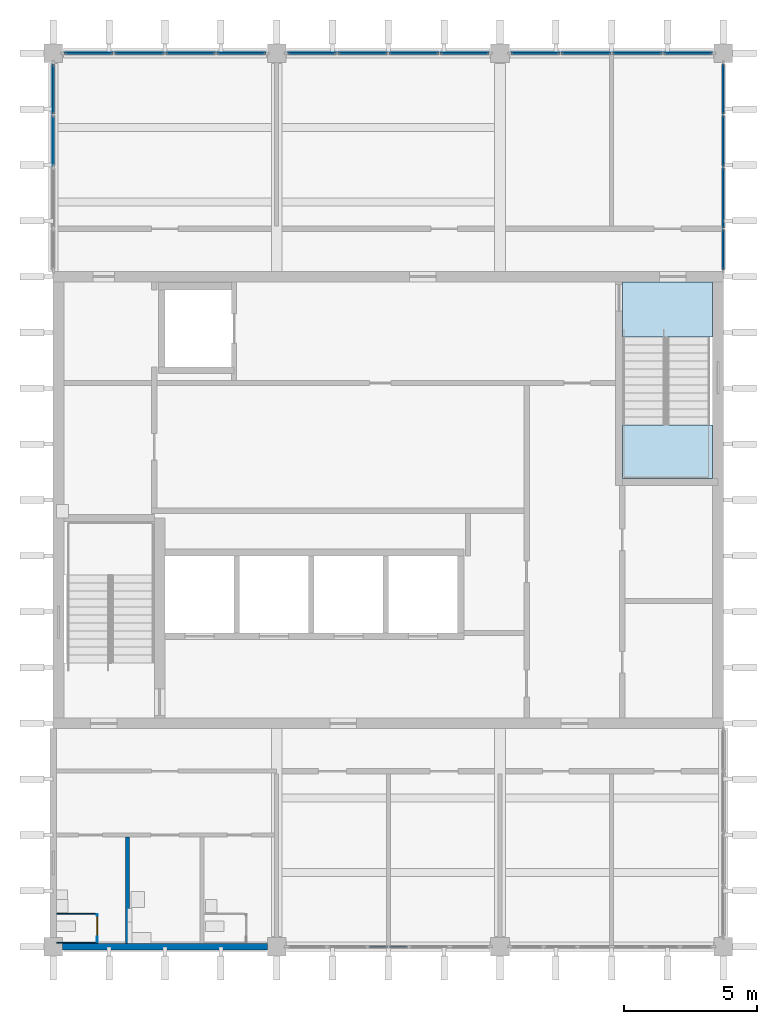
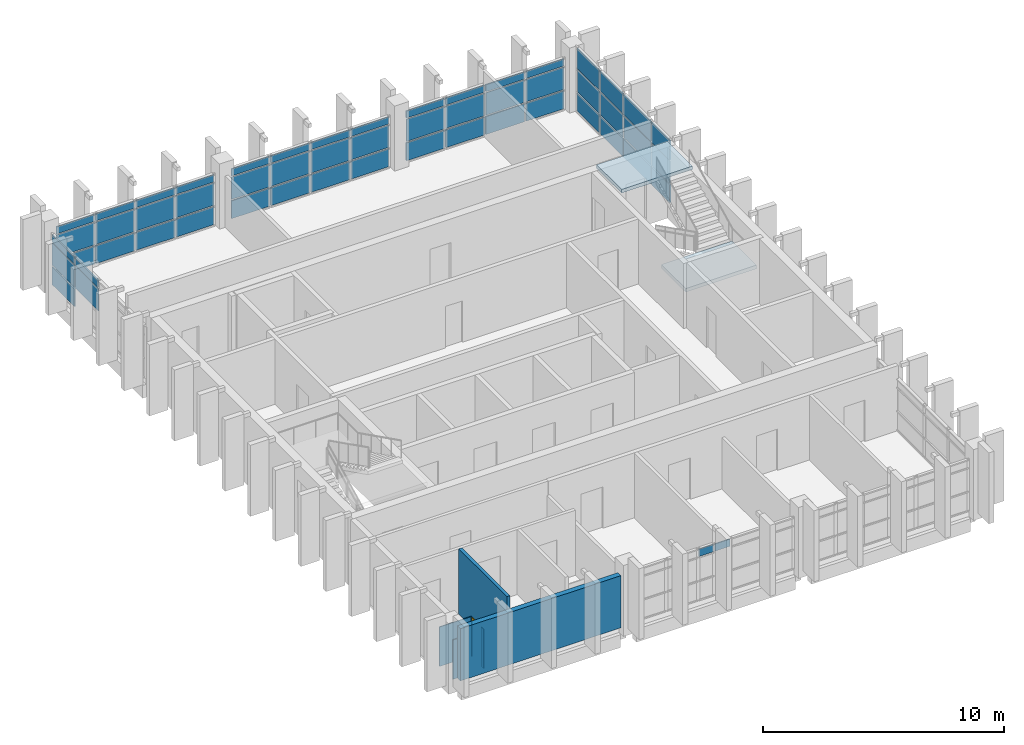
# One storey, part 6 of 11: 55 plates, 5 walls, 2 slabs, 1 door, 1 opening, 7 elements without a shape of their own.
"""IFC4 building model written with IfcOpenShell, lengths in metres."""

import ifcopenshell
import ifcopenshell.guid

model = None  # the IFC model being written
_history = None  # IfcOwnerHistory: only IFC2X3 demands one
_inside = {}  # id of a spatial element -> (the spatial element, [elements in it])
_under = {}  # id of a project, library or spatial element -> (it, [spatial elements below it])
_declared = {}  # id of a project -> (the project, [libraries it declares])
_typed = {}  # id of a type object -> (the type object, [elements of that type])
_made_of = {}  # id of a material, layer set ... -> (it, [elements and type objects made of it])


def new_model(schema):
    """Start an empty IFC model of exactly this schema.

    Asked for "IFC4X3", IfcOpenShell would pick the latest addendum, in which some entities
    have other attributes; the version numbers below select the first issue.
    IFC2X3 requires an IfcOwnerHistory on every rooted entity: one is made here for all.
    """
    global model, _history
    if schema == "IFC4X3":
        model = ifcopenshell.file(schema_version=(4, 3, 0, 0))
    else:
        model = ifcopenshell.file(schema=schema)
    _inside.clear()
    _under.clear()
    _declared.clear()
    _typed.clear()
    _made_of.clear()
    _history = None
    if model.schema == "IFC2X3":
        org = make("IfcOrganization", Name="unknown")
        user = make(
            "IfcPersonAndOrganization",
            ThePerson=make("IfcPerson", FamilyName="unknown"),
            TheOrganization=org,
        )
        app = make(
            "IfcApplication",
            ApplicationDeveloper=org,
            Version="unknown",
            ApplicationFullName="unknown",
            ApplicationIdentifier="unknown",
        )
        _history = make(
            "IfcOwnerHistory",
            OwningUser=user,
            OwningApplication=app,
            ChangeAction="ADDED",
            CreationDate=0,
        )
    return model


def make(cls, **values):
    """One entity of the class cls with the attributes given. An attribute that is None is left unset."""
    return model.create_entity(
        cls, **{name: value for name, value in values.items() if value is not None}
    )


def rooted(cls, **values):
    """An entity with a GlobalId (a new one), such as an element, a storey or a relation."""
    return make(cls, GlobalId=ifcopenshell.guid.new(), OwnerHistory=_history, **values)


def si_unit(unit_type, name, prefix=None):
    """IfcSIUnit, for example si_unit("LENGTHUNIT", "METRE", prefix="MILLI")."""
    return make("IfcSIUnit", UnitType=unit_type, Prefix=prefix, Name=name)


def assignment(units):
    """IfcUnitAssignment: the units of a project."""
    return None if units is None else make("IfcUnitAssignment", Units=units)


def point(xyz):
    """IfcCartesianPoint."""
    return None if xyz is None else make("IfcCartesianPoint", Coordinates=xyz)


def direction(xyz):
    """IfcDirection."""
    return None if xyz is None else make("IfcDirection", DirectionRatios=xyz)


def frame(location, z_axis=None, x_axis=None):
    """IfcAxis2Placement3D, a coordinate frame: its origin and axes. An axis left out is left unset."""
    return make(
        "IfcAxis2Placement3D",
        Location=point(location),
        Axis=direction(z_axis),
        RefDirection=direction(x_axis),
    )


def frame_2d(location, x_axis=None):
    """IfcAxis2Placement2D, a coordinate frame in the plane: its origin and x axis."""
    return make(
        "IfcAxis2Placement2D", Location=point(location), RefDirection=direction(x_axis)
    )


def origin():
    """The frame at (0, 0, 0) with its axes left unset."""
    return frame((0.0, 0.0, 0.0))


def origin_2d():
    """The frame at (0, 0) in the plane with its x axis left unset."""
    return frame_2d((0.0, 0.0))


def place(relative_to, where):
    """IfcLocalPlacement: puts the frame where relative to a parent placement (None: the world)."""
    return make(
        "IfcLocalPlacement", PlacementRelTo=relative_to, RelativePlacement=where
    )


def context(
    kind, dimensions, precision=None, world=None, true_north=None, identifier=None
):
    """IfcGeometricRepresentationContext, for example the 3D "Model" context."""
    return make(
        "IfcGeometricRepresentationContext",
        ContextIdentifier=identifier,
        ContextType=kind,
        CoordinateSpaceDimension=dimensions,
        Precision=precision,
        WorldCoordinateSystem=world,
        TrueNorth=true_north,
    )


def subcontext(parent, identifier, kind, view, scale=None):
    """IfcGeometricRepresentationSubContext, for example "Body" below "Model"."""
    return make(
        "IfcGeometricRepresentationSubContext",
        ContextIdentifier=identifier,
        ContextType=kind,
        ParentContext=parent,
        TargetScale=scale,
        TargetView=view,
    )


def project(units=None, contexts=None):
    """IfcProject with its units and contexts."""
    return rooted(
        "IfcProject",
        Name="project",
        RepresentationContexts=contexts,
        UnitsInContext=assignment(units),
    )


def spatial(cls, under=None, at=None, **own):
    """A site, building, storey or space (cls), placed at a placement, below another one or the project."""
    s = rooted(cls, ObjectPlacement=at, **own)
    if under is not None:
        _under.setdefault(under.id(), (under, []))[1].append(s)
    return s


def polyline(points):
    """IfcPolyline through the points."""
    return make("IfcPolyline", Points=[point(p) for p in points])


def profile(cls, at=None, kind="AREA", **sizes):
    """A parametric profile (cls). Its sizes go by their IFC names, for example OverallWidth=200.0."""
    return make(cls, ProfileType=kind, Position=at, **sizes)


def rectangle(**sizes):
    """IfcRectangleProfileDef."""
    return profile("IfcRectangleProfileDef", **sizes)


def outline(outer, holes=None, kind="AREA"):
    """IfcArbitraryClosedProfileDef: a profile drawn as a closed curve; with holes, ...WithVoids."""
    if holes is None:
        return make("IfcArbitraryClosedProfileDef", ProfileType=kind, OuterCurve=outer)
    return make(
        "IfcArbitraryProfileDefWithVoids",
        ProfileType=kind,
        OuterCurve=outer,
        InnerCurves=holes,
    )


def extrude(swept, where, along, depth):
    """IfcExtrudedAreaSolid: the profile swept, set in the frame where, extruded along a direction by depth."""
    return make(
        "IfcExtrudedAreaSolid",
        SweptArea=swept,
        Position=where,
        ExtrudedDirection=direction(along),
        Depth=depth,
    )


def shape(context_of_items, identifier, shape_type, items):
    """IfcShapeRepresentation: the items that make up one representation, for example the "Body"."""
    return make(
        "IfcShapeRepresentation",
        ContextOfItems=context_of_items,
        RepresentationIdentifier=identifier,
        RepresentationType=shape_type,
        Items=items,
    )


def material(Name=None, Category=None):
    """IfcMaterial."""
    return make("IfcMaterial", Name=Name, Category=Category)


def layer(
    of_material, thickness, ventilated=None, Name=None, Category=None, Priority=None
):
    """IfcMaterialLayer: one layer of a wall or slab, of a material (None: an air gap)."""
    return make(
        "IfcMaterialLayer",
        Material=of_material,
        LayerThickness=thickness,
        IsVentilated=ventilated,
        Name=Name,
        Category=Category,
        Priority=Priority,
    )


def layer_set(layers, Name=None):
    """IfcMaterialLayerSet."""
    return make("IfcMaterialLayerSet", MaterialLayers=layers, LayerSetName=Name)


def made_of(thing, what):
    """Note that an element or type object is made of a material, layer set ...; save() writes the relation."""
    if what is not None:
        _made_of.setdefault(what.id(), (what, []))[1].append(thing)
    return thing


def type_object(cls, material=None, **own):
    """A type object (cls), such as IfcWallType, which elements share."""
    return made_of(rooted(cls, **own), material)


def element(
    cls,
    number,
    at=None,
    inside=None,
    cuts=None,
    type_object=None,
    material=None,
    context=None,
    identifier="Body",
    shape_type=None,
    held_by="IfcProductDefinitionShape",
    body=None,
    shapes=None,
    **own,
):
    """One element of the class cls, such as IfcWall. Its Tag is "e" and its number.

    at: its placement. inside: the storey or other place that contains it. cuts: it is an
    opening in that element (IfcRelVoidsElement). A single representation is given by context,
    identifier, shape_type and body (its items); several are given by shapes. held_by: the class
    of the entity that holds the representations. save() writes the other relations.
    """
    e = rooted(cls, Tag="e%d" % number, ObjectPlacement=at, **own)
    if body is not None:
        shapes = [shape(context, identifier, shape_type, body)]
    if shapes is not None:
        e.Representation = make(held_by, Representations=shapes)
    if inside is not None:
        _inside.setdefault(inside.id(), (inside, []))[1].append(e)
    if cuts is not None:
        rooted(
            "IfcRelVoidsElement", RelatingBuildingElement=cuts, RelatedOpeningElement=e
        )
    if type_object is not None:
        _typed.setdefault(type_object.id(), (type_object, []))[1].append(e)
    return made_of(e, material)


def fill(opening, filler):
    """IfcRelFillsElement: the door or window that sits in an opening."""
    return rooted(
        "IfcRelFillsElement",
        RelatingOpeningElement=opening,
        RelatedBuildingElement=filler,
    )


def aggregate(whole, parts):
    """IfcRelAggregates: a whole, such as a stair, and the parts it consists of."""
    return rooted("IfcRelAggregates", RelatingObject=whole, RelatedObjects=parts)


def save(model, path):
    """Write the relations noted so far, then the file.

    IfcRelAggregates (storeys below a building ...), IfcRelContainedInSpatialStructure (elements
    in a storey), IfcRelDefinesByType, IfcRelAssociatesMaterial and IfcRelDeclares: one each for
    every whole, place, type object, material and project.
    """
    for whole, parts in _under.values():
        aggregate(whole, parts)
    for where, things in _inside.values():
        rooted(
            "IfcRelContainedInSpatialStructure",
            RelatedElements=things,
            RelatingStructure=where,
        )
    for kind, things in _typed.values():
        rooted("IfcRelDefinesByType", RelatedObjects=things, RelatingType=kind)
    for what, things in _made_of.values():
        rooted("IfcRelAssociatesMaterial", RelatedObjects=things, RelatingMaterial=what)
    for by, libraries in _declared.values():
        rooted("IfcRelDeclares", RelatingContext=by, RelatedDefinitions=libraries)
    model.write(path)


model = new_model("IFC4")

# Units and contexts
model_context = context("Model", 3, precision=1e-05, world=origin(), true_north=direction((0.0, 1.0)))
body_context = subcontext(model_context, "Body", "Model", "MODEL_VIEW")
ifc_project = project(units=[si_unit("LENGTHUNIT", "METRE"), si_unit("AREAUNIT", "SQUARE_METRE"), si_unit("VOLUMEUNIT", "CUBIC_METRE"), si_unit("PLANEANGLEUNIT", "RADIAN"), si_unit("MASSUNIT", "GRAM", prefix="KILO")], contexts=[model_context])

# Site, building, storey
site_placement = place(None, origin())
site = spatial("IfcSite", under=ifc_project, at=site_placement, CompositionType="ELEMENT")
building_placement = place(site_placement, origin())
building = spatial("IfcBuilding", under=site, at=building_placement, Name="Rulbaag Community and Learning Centre", CompositionType="ELEMENT")
storey_placement = place(building_placement, frame((0.0, 0.0, 50.39990234375)))
storey = spatial("IfcBuildingStorey", under=building, at=storey_placement, Name="L13", CompositionType="ELEMENT", Elevation=50.39990234375)

# Curtain wall, plates
ifc_material_1 = material(Name="Aluminium", Category="aluminium")
ifc_layer_1 = layer(ifc_material_1, 0.14990234375)
ifc_layer_set_1 = layer_set([ifc_layer_1], Name="CW-S")
curtain_wall_type_1 = type_object("IfcCurtainWallType", Name="CW-S", PredefinedType="USERDEFINED", material=ifc_layer_set_1)
curtain_wall_1_placement = place(storey_placement, origin())
curtain_wall_1 = element("IfcCurtainWall", 1, at=curtain_wall_1_placement, inside=storey, type_object=curtain_wall_type_1, Name="GS-L13-01", ObjectType="UNITISED CURTAIN WALL", PredefinedType="USERDEFINED")
ifc_layer_2 = layer(ifc_material_1, 0.054931640625)
ifc_layer_set_2 = layer_set([ifc_layer_2], Name="CW-S-SPN")
plate_type_1 = type_object("IfcPlateType", Name="CW-S-SPN", PredefinedType="CURTAIN_PANEL", material=ifc_layer_set_2)
plate_1_placement = place(storey_placement, frame((155.014892578125, 84.0, 2.22998046875), z_axis=(0.0, 0.0, 1.0), x_axis=(1.0, 0.0, 0.0)))
plate_1 = element("IfcPlate", 2, at=plate_1_placement, type_object=plate_type_1, Name="GS spandrel panel", PredefinedType="CURTAIN_PANEL", context=body_context, shape_type="SweptSolid", body=[
    extrude(rectangle(XDim=0.7099609375, YDim=0.054931640625, at=origin_2d()), origin(), (0.0, 0.0, 1.0), 0.360107421875),
])
plate_2_placement = place(storey_placement, frame((155.784912109375, 84.0, 2.22998046875), z_axis=(0.0, 0.0, 1.0), x_axis=(1.0, 0.0, 0.0)))
plate_2 = element("IfcPlate", 3, at=plate_2_placement, type_object=plate_type_1, Name="GS spandrel panel", PredefinedType="CURTAIN_PANEL", context=body_context, shape_type="SweptSolid", body=[
    extrude(rectangle(XDim=0.7099609375, YDim=0.054931640625, at=origin_2d()), origin(), (0.0, 0.0, 1.0), 0.360107421875),
])
aggregate(curtain_wall_1, [plate_1, plate_2])

ifc_layer_3 = layer(ifc_material_1, 0.14990234375)
ifc_layer_set_3 = layer_set([ifc_layer_3], Name="CW-T")
curtain_wall_type_2 = type_object("IfcCurtainWallType", Name="CW-T", PredefinedType="USERDEFINED", material=ifc_layer_set_3)
curtain_wall_2_placement = place(storey_placement, origin())
curtain_wall_2 = element("IfcCurtainWall", 4, at=curtain_wall_2_placement, inside=storey, type_object=curtain_wall_type_2, Name="GT-L13-01", ObjectType="UNITISED CURTAIN WALL", PredefinedType="USERDEFINED")
ifc_layer_4 = layer(ifc_material_1, 0.06005859375)
ifc_layer_set_4 = layer_set([ifc_layer_4], Name="CW-T-SPN")
plate_type_2 = type_object("IfcPlateType", Name="CW-T-SPN", PredefinedType="CURTAIN_PANEL", material=ifc_layer_set_4)
plate_3_placement = place(storey_placement, frame((144.128662109375, 117.60009765625, 0.06494140625), z_axis=(0.0, 0.0, 1.0), x_axis=(1.0, 0.0, 0.0)))
plate_3 = element("IfcPlate", 5, at=plate_3_placement, type_object=plate_type_2, Name="GT spandrel panel", PredefinedType="CURTAIN_PANEL", context=body_context, shape_type="SweptSolid", body=[
    extrude(rectangle(XDim=1.827392578125, YDim=0.06005859375, at=origin_2d()), origin(), (0.0, 0.0, 1.0), 0.902587890625),
])
plate_4_placement = place(storey_placement, frame((144.128662109375, 117.60009765625, 2.232666015625), z_axis=(0.0, 0.0, 1.0), x_axis=(1.0, 0.0, 0.0)))
plate_4 = element("IfcPlate", 6, at=plate_4_placement, type_object=plate_type_2, Name="GT spandrel panel", PredefinedType="CURTAIN_PANEL", context=body_context, shape_type="SweptSolid", body=[
    extrude(rectangle(XDim=1.827392578125, YDim=0.06005859375, at=origin_2d()), origin(), (0.0, 0.0, 1.0), 0.3525390625),
])
plate_5_placement = place(storey_placement, frame((146.03759765625, 117.60009765625, 0.06494140625), z_axis=(0.0, 0.0, 1.0), x_axis=(1.0, 0.0, 0.0)))
plate_5 = element("IfcPlate", 7, at=plate_5_placement, type_object=plate_type_2, Name="GT spandrel panel", PredefinedType="CURTAIN_PANEL", context=body_context, shape_type="SweptSolid", body=[
    extrude(rectangle(XDim=1.860107421875, YDim=0.06005859375, at=origin_2d()), origin(), (0.0, 0.0, 1.0), 0.902587890625),
])
plate_6_placement = place(storey_placement, frame((146.03759765625, 117.60009765625, 2.232666015625), z_axis=(0.0, 0.0, 1.0), x_axis=(1.0, 0.0, 0.0)))
plate_6 = element("IfcPlate", 8, at=plate_6_placement, type_object=plate_type_2, Name="GT spandrel panel", PredefinedType="CURTAIN_PANEL", context=body_context, shape_type="SweptSolid", body=[
    extrude(rectangle(XDim=1.860107421875, YDim=0.06005859375, at=origin_2d()), origin(), (0.0, 0.0, 1.0), 0.3525390625),
])
plate_7_placement = place(storey_placement, frame((147.96240234375, 117.60009765625, 0.06494140625), z_axis=(0.0, 0.0, 1.0), x_axis=(1.0, 0.0, 0.0)))
plate_7 = element("IfcPlate", 9, at=plate_7_placement, type_object=plate_type_2, Name="GT spandrel panel", PredefinedType="CURTAIN_PANEL", context=body_context, shape_type="SweptSolid", body=[
    extrude(rectangle(XDim=1.860107421875, YDim=0.06005859375, at=origin_2d()), origin(), (0.0, 0.0, 1.0), 0.902587890625),
])
plate_8_placement = place(storey_placement, frame((147.96240234375, 117.60009765625, 2.232666015625), z_axis=(0.0, 0.0, 1.0), x_axis=(1.0, 0.0, 0.0)))
plate_8 = element("IfcPlate", 10, at=plate_8_placement, type_object=plate_type_2, Name="GT spandrel panel", PredefinedType="CURTAIN_PANEL", context=body_context, shape_type="SweptSolid", body=[
    extrude(rectangle(XDim=1.860107421875, YDim=0.06005859375, at=origin_2d()), origin(), (0.0, 0.0, 1.0), 0.3525390625),
])
plate_9_placement = place(storey_placement, frame((149.871337890625, 117.60009765625, 0.06494140625), z_axis=(0.0, 0.0, 1.0), x_axis=(1.0, 0.0, 0.0)))
plate_9 = element("IfcPlate", 11, at=plate_9_placement, type_object=plate_type_2, Name="GT spandrel panel", PredefinedType="CURTAIN_PANEL", context=body_context, shape_type="SweptSolid", body=[
    extrude(rectangle(XDim=1.827392578125, YDim=0.06005859375, at=origin_2d()), origin(), (0.0, 0.0, 1.0), 0.902587890625),
])
plate_10_placement = place(storey_placement, frame((149.871337890625, 117.60009765625, 2.232666015625), z_axis=(0.0, 0.0, 1.0), x_axis=(1.0, 0.0, 0.0)))
plate_10 = element("IfcPlate", 12, at=plate_10_placement, type_object=plate_type_2, Name="GT spandrel panel", PredefinedType="CURTAIN_PANEL", context=body_context, shape_type="SweptSolid", body=[
    extrude(rectangle(XDim=1.827392578125, YDim=0.06005859375, at=origin_2d()), origin(), (0.0, 0.0, 1.0), 0.3525390625),
])

curtain_wall_3_placement = place(storey_placement, origin())
curtain_wall_3 = element("IfcCurtainWall", 13, at=curtain_wall_3_placement, inside=storey, type_object=curtain_wall_type_2, Name="GT-L13-02", ObjectType="UNITISED CURTAIN WALL", PredefinedType="USERDEFINED")
plate_11_placement = place(storey_placement, frame((152.52880859375, 117.60009765625, 0.06494140625), z_axis=(0.0, 0.0, 1.0), x_axis=(1.0, 0.0, 0.0)))
plate_11 = element("IfcPlate", 14, at=plate_11_placement, type_object=plate_type_2, Name="GT spandrel panel", PredefinedType="CURTAIN_PANEL", context=body_context, shape_type="SweptSolid", body=[
    extrude(rectangle(XDim=1.827392578125, YDim=0.06005859375, at=origin_2d()), origin(), (0.0, 0.0, 1.0), 0.902587890625),
])
plate_12_placement = place(storey_placement, frame((152.52880859375, 117.60009765625, 2.232666015625), z_axis=(0.0, 0.0, 1.0), x_axis=(1.0, 0.0, 0.0)))
plate_12 = element("IfcPlate", 15, at=plate_12_placement, type_object=plate_type_2, Name="GT spandrel panel", PredefinedType="CURTAIN_PANEL", context=body_context, shape_type="SweptSolid", body=[
    extrude(rectangle(XDim=1.827392578125, YDim=0.06005859375, at=origin_2d()), origin(), (0.0, 0.0, 1.0), 0.3525390625),
])
plate_13_placement = place(storey_placement, frame((154.4375, 117.60009765625, 0.06494140625), z_axis=(0.0, 0.0, 1.0), x_axis=(1.0, 0.0, 0.0)))
plate_13 = element("IfcPlate", 16, at=plate_13_placement, type_object=plate_type_2, Name="GT spandrel panel", PredefinedType="CURTAIN_PANEL", context=body_context, shape_type="SweptSolid", body=[
    extrude(rectangle(XDim=1.860107421875, YDim=0.06005859375, at=origin_2d()), origin(), (0.0, 0.0, 1.0), 0.902587890625),
])
plate_14_placement = place(storey_placement, frame((154.4375, 117.60009765625, 2.232666015625), z_axis=(0.0, 0.0, 1.0), x_axis=(1.0, 0.0, 0.0)))
plate_14 = element("IfcPlate", 17, at=plate_14_placement, type_object=plate_type_2, Name="GT spandrel panel", PredefinedType="CURTAIN_PANEL", context=body_context, shape_type="SweptSolid", body=[
    extrude(rectangle(XDim=1.860107421875, YDim=0.06005859375, at=origin_2d()), origin(), (0.0, 0.0, 1.0), 0.3525390625),
])
plate_15_placement = place(storey_placement, frame((156.362548828125, 117.60009765625, 0.06494140625), z_axis=(0.0, 0.0, 1.0), x_axis=(1.0, 0.0, 0.0)))
plate_15 = element("IfcPlate", 18, at=plate_15_placement, type_object=plate_type_2, Name="GT spandrel panel", PredefinedType="CURTAIN_PANEL", context=body_context, shape_type="SweptSolid", body=[
    extrude(rectangle(XDim=1.860107421875, YDim=0.06005859375, at=origin_2d()), origin(), (0.0, 0.0, 1.0), 0.902587890625),
])
plate_16_placement = place(storey_placement, frame((156.362548828125, 117.60009765625, 2.232666015625), z_axis=(0.0, 0.0, 1.0), x_axis=(1.0, 0.0, 0.0)))
plate_16 = element("IfcPlate", 19, at=plate_16_placement, type_object=plate_type_2, Name="GT spandrel panel", PredefinedType="CURTAIN_PANEL", context=body_context, shape_type="SweptSolid", body=[
    extrude(rectangle(XDim=1.860107421875, YDim=0.06005859375, at=origin_2d()), origin(), (0.0, 0.0, 1.0), 0.3525390625),
])
plate_17_placement = place(storey_placement, frame((158.271240234375, 117.60009765625, 0.06494140625), z_axis=(0.0, 0.0, 1.0), x_axis=(1.0, 0.0, 0.0)))
plate_17 = element("IfcPlate", 20, at=plate_17_placement, type_object=plate_type_2, Name="GT spandrel panel", PredefinedType="CURTAIN_PANEL", context=body_context, shape_type="SweptSolid", body=[
    extrude(rectangle(XDim=1.827392578125, YDim=0.06005859375, at=origin_2d()), origin(), (0.0, 0.0, 1.0), 0.902587890625),
])
plate_18_placement = place(storey_placement, frame((158.271240234375, 117.60009765625, 2.232666015625), z_axis=(0.0, 0.0, 1.0), x_axis=(1.0, 0.0, 0.0)))
plate_18 = element("IfcPlate", 21, at=plate_18_placement, type_object=plate_type_2, Name="GT spandrel panel", PredefinedType="CURTAIN_PANEL", context=body_context, shape_type="SweptSolid", body=[
    extrude(rectangle(XDim=1.827392578125, YDim=0.06005859375, at=origin_2d()), origin(), (0.0, 0.0, 1.0), 0.3525390625),
])

curtain_wall_4_placement = place(storey_placement, origin())
curtain_wall_4 = element("IfcCurtainWall", 22, at=curtain_wall_4_placement, inside=storey, type_object=curtain_wall_type_2, Name="GT-L13-03", ObjectType="UNITISED CURTAIN WALL", PredefinedType="USERDEFINED")
plate_19_placement = place(storey_placement, frame((160.9287109375, 117.60009765625, 0.06494140625), z_axis=(0.0, 0.0, 1.0), x_axis=(1.0, 0.0, 0.0)))
plate_19 = element("IfcPlate", 23, at=plate_19_placement, type_object=plate_type_2, Name="GT spandrel panel", PredefinedType="CURTAIN_PANEL", context=body_context, shape_type="SweptSolid", body=[
    extrude(rectangle(XDim=1.827392578125, YDim=0.06005859375, at=origin_2d()), origin(), (0.0, 0.0, 1.0), 0.902587890625),
])
plate_20_placement = place(storey_placement, frame((160.9287109375, 117.60009765625, 2.232666015625), z_axis=(0.0, 0.0, 1.0), x_axis=(1.0, 0.0, 0.0)))
plate_20 = element("IfcPlate", 24, at=plate_20_placement, type_object=plate_type_2, Name="GT spandrel panel", PredefinedType="CURTAIN_PANEL", context=body_context, shape_type="SweptSolid", body=[
    extrude(rectangle(XDim=1.827392578125, YDim=0.06005859375, at=origin_2d()), origin(), (0.0, 0.0, 1.0), 0.3525390625),
])
plate_21_placement = place(storey_placement, frame((162.83740234375, 117.60009765625, 0.06494140625), z_axis=(0.0, 0.0, 1.0), x_axis=(1.0, 0.0, 0.0)))
plate_21 = element("IfcPlate", 25, at=plate_21_placement, type_object=plate_type_2, Name="GT spandrel panel", PredefinedType="CURTAIN_PANEL", context=body_context, shape_type="SweptSolid", body=[
    extrude(rectangle(XDim=1.860107421875, YDim=0.06005859375, at=origin_2d()), origin(), (0.0, 0.0, 1.0), 0.902587890625),
])
plate_22_placement = place(storey_placement, frame((162.83740234375, 117.60009765625, 2.232666015625), z_axis=(0.0, 0.0, 1.0), x_axis=(1.0, 0.0, 0.0)))
plate_22 = element("IfcPlate", 26, at=plate_22_placement, type_object=plate_type_2, Name="GT spandrel panel", PredefinedType="CURTAIN_PANEL", context=body_context, shape_type="SweptSolid", body=[
    extrude(rectangle(XDim=1.860107421875, YDim=0.06005859375, at=origin_2d()), origin(), (0.0, 0.0, 1.0), 0.3525390625),
])
plate_23_placement = place(storey_placement, frame((164.762451171875, 117.60009765625, 0.06494140625), z_axis=(0.0, 0.0, 1.0), x_axis=(1.0, 0.0, 0.0)))
plate_23 = element("IfcPlate", 27, at=plate_23_placement, type_object=plate_type_2, Name="GT spandrel panel", PredefinedType="CURTAIN_PANEL", context=body_context, shape_type="SweptSolid", body=[
    extrude(rectangle(XDim=1.860107421875, YDim=0.06005859375, at=origin_2d()), origin(), (0.0, 0.0, 1.0), 0.902587890625),
])
plate_24_placement = place(storey_placement, frame((164.762451171875, 117.60009765625, 2.232666015625), z_axis=(0.0, 0.0, 1.0), x_axis=(1.0, 0.0, 0.0)))
plate_24 = element("IfcPlate", 28, at=plate_24_placement, type_object=plate_type_2, Name="GT spandrel panel", PredefinedType="CURTAIN_PANEL", context=body_context, shape_type="SweptSolid", body=[
    extrude(rectangle(XDim=1.860107421875, YDim=0.06005859375, at=origin_2d()), origin(), (0.0, 0.0, 1.0), 0.3525390625),
])
plate_25_placement = place(storey_placement, frame((166.671142578125, 117.60009765625, 0.06494140625), z_axis=(0.0, 0.0, 1.0), x_axis=(1.0, 0.0, 0.0)))
plate_25 = element("IfcPlate", 29, at=plate_25_placement, type_object=plate_type_2, Name="GT spandrel panel", PredefinedType="CURTAIN_PANEL", context=body_context, shape_type="SweptSolid", body=[
    extrude(rectangle(XDim=1.827392578125, YDim=0.06005859375, at=origin_2d()), origin(), (0.0, 0.0, 1.0), 0.902587890625),
])
plate_26_placement = place(storey_placement, frame((166.671142578125, 117.60009765625, 2.232666015625), z_axis=(0.0, 0.0, 1.0), x_axis=(1.0, 0.0, 0.0)))
plate_26 = element("IfcPlate", 30, at=plate_26_placement, type_object=plate_type_2, Name="GT spandrel panel", PredefinedType="CURTAIN_PANEL", context=body_context, shape_type="SweptSolid", body=[
    extrude(rectangle(XDim=1.827392578125, YDim=0.06005859375, at=origin_2d()), origin(), (0.0, 0.0, 1.0), 0.3525390625),
])

curtain_wall_5_placement = place(storey_placement, origin())
curtain_wall_5 = element("IfcCurtainWall", 31, at=curtain_wall_5_placement, inside=storey, type_object=curtain_wall_type_2, Name="GT-L13-04", ObjectType="UNITISED CURTAIN WALL", PredefinedType="USERDEFINED")
plate_27_placement = place(storey_placement, frame((142.800048828125, 114.30615234375, 2.232666015625), z_axis=(0.0, 0.0, 1.0), x_axis=(0.0, 1.0, 0.0)))
plate_27 = element("IfcPlate", 32, at=plate_27_placement, type_object=plate_type_2, Name="GT spandrel panel", PredefinedType="CURTAIN_PANEL", context=body_context, shape_type="SweptSolid", body=[
    extrude(rectangle(XDim=1.8974609375, YDim=0.06005859375, at=origin_2d()), origin(), (0.0, 0.0, 1.0), 0.3525390625),
])
plate_28_placement = place(storey_placement, frame((142.800048828125, 116.25244140625, 0.06494140625), z_axis=(0.0, 0.0, 1.0), x_axis=(0.0, 1.0, 0.0)))
plate_28 = element("IfcPlate", 33, at=plate_28_placement, type_object=plate_type_2, Name="GT spandrel panel", PredefinedType="CURTAIN_PANEL", context=body_context, shape_type="SweptSolid", body=[
    extrude(rectangle(XDim=1.864990234375, YDim=0.06005859375, at=origin_2d()), origin(), (0.0, 0.0, 1.0), 0.902587890625),
])
plate_29_placement = place(storey_placement, frame((142.800048828125, 116.25244140625, 2.232666015625), z_axis=(0.0, 0.0, 1.0), x_axis=(0.0, 1.0, 0.0)))
plate_29 = element("IfcPlate", 34, at=plate_29_placement, type_object=plate_type_2, Name="GT spandrel panel", PredefinedType="CURTAIN_PANEL", context=body_context, shape_type="SweptSolid", body=[
    extrude(rectangle(XDim=1.864990234375, YDim=0.06005859375, at=origin_2d()), origin(), (0.0, 0.0, 1.0), 0.3525390625),
])

curtain_wall_6_placement = place(storey_placement, origin())
curtain_wall_6 = element("IfcCurtainWall", 35, at=curtain_wall_6_placement, inside=storey, type_object=curtain_wall_type_2, Name="GT-L13-06", ObjectType="UNITISED CURTAIN WALL", PredefinedType="USERDEFINED")
plate_30_placement = place(storey_placement, frame((168.0, 110.21630859375, 0.06494140625), z_axis=(0.0, 0.0, 1.0), x_axis=(0.0, 1.0, 0.0)))
plate_30 = element("IfcPlate", 36, at=plate_30_placement, type_object=plate_type_2, Name="GT spandrel panel", PredefinedType="CURTAIN_PANEL", context=body_context, shape_type="SweptSolid", body=[
    extrude(rectangle(XDim=1.50244140625, YDim=0.06005859375, at=origin_2d()), origin(), (0.0, 0.0, 1.0), 0.902587890625),
])
plate_31_placement = place(storey_placement, frame((168.0, 110.21630859375, 2.232666015625), z_axis=(0.0, 0.0, 1.0), x_axis=(0.0, 1.0, 0.0)))
plate_31 = element("IfcPlate", 37, at=plate_31_placement, type_object=plate_type_2, Name="GT spandrel panel", PredefinedType="CURTAIN_PANEL", context=body_context, shape_type="SweptSolid", body=[
    extrude(rectangle(XDim=1.50244140625, YDim=0.06005859375, at=origin_2d()), origin(), (0.0, 0.0, 1.0), 1.00244140625),
])
plate_32_placement = place(storey_placement, frame((168.0, 112.16259765625, 0.06494140625), z_axis=(0.0, 0.0, 1.0), x_axis=(0.0, 1.0, 0.0)))
plate_32 = element("IfcPlate", 38, at=plate_32_placement, type_object=plate_type_2, Name="GT spandrel panel", PredefinedType="CURTAIN_PANEL", context=body_context, shape_type="SweptSolid", body=[
    extrude(rectangle(XDim=2.260009765625, YDim=0.06005859375, at=origin_2d()), origin(), (0.0, 0.0, 1.0), 0.902587890625),
])
plate_33_placement = place(storey_placement, frame((168.0, 112.16259765625, 2.232666015625), z_axis=(0.0, 0.0, 1.0), x_axis=(0.0, 1.0, 0.0)))
plate_33 = element("IfcPlate", 39, at=plate_33_placement, type_object=plate_type_2, Name="GT spandrel panel", PredefinedType="CURTAIN_PANEL", context=body_context, shape_type="SweptSolid", body=[
    extrude(rectangle(XDim=2.260009765625, YDim=0.06005859375, at=origin_2d()), origin(), (0.0, 0.0, 1.0), 1.00244140625),
])
plate_34_placement = place(storey_placement, frame((168.0, 114.30615234375, 0.06494140625), z_axis=(0.0, 0.0, 1.0), x_axis=(0.0, 1.0, 0.0)))
plate_34 = element("IfcPlate", 40, at=plate_34_placement, type_object=plate_type_2, Name="GT spandrel panel", PredefinedType="CURTAIN_PANEL", context=body_context, shape_type="SweptSolid", body=[
    extrude(rectangle(XDim=1.8974609375, YDim=0.06005859375, at=origin_2d()), origin(), (0.0, 0.0, 1.0), 0.902587890625),
])
plate_35_placement = place(storey_placement, frame((168.0, 114.30615234375, 2.232666015625), z_axis=(0.0, 0.0, 1.0), x_axis=(0.0, 1.0, 0.0)))
plate_35 = element("IfcPlate", 41, at=plate_35_placement, type_object=plate_type_2, Name="GT spandrel panel", PredefinedType="CURTAIN_PANEL", context=body_context, shape_type="SweptSolid", body=[
    extrude(rectangle(XDim=1.8974609375, YDim=0.06005859375, at=origin_2d()), origin(), (0.0, 0.0, 1.0), 1.00244140625),
])
plate_36_placement = place(storey_placement, frame((168.0, 116.25244140625, 0.06494140625), z_axis=(0.0, 0.0, 1.0), x_axis=(0.0, 1.0, 0.0)))
plate_36 = element("IfcPlate", 42, at=plate_36_placement, type_object=plate_type_2, Name="GT spandrel panel", PredefinedType="CURTAIN_PANEL", context=body_context, shape_type="SweptSolid", body=[
    extrude(rectangle(XDim=1.864990234375, YDim=0.06005859375, at=origin_2d()), origin(), (0.0, 0.0, 1.0), 0.902587890625),
])
plate_37_placement = place(storey_placement, frame((168.0, 116.25244140625, 2.232666015625), z_axis=(0.0, 0.0, 1.0), x_axis=(0.0, 1.0, 0.0)))
plate_37 = element("IfcPlate", 43, at=plate_37_placement, type_object=plate_type_2, Name="GT spandrel panel", PredefinedType="CURTAIN_PANEL", context=body_context, shape_type="SweptSolid", body=[
    extrude(rectangle(XDim=1.864990234375, YDim=0.06005859375, at=origin_2d()), origin(), (0.0, 0.0, 1.0), 1.00244140625),
])

# Plate
ifc_material_2 = material(Name="Glass", Category="glass")
ifc_layer_5 = layer(ifc_material_2, 0.028076171875)
ifc_layer_set_5 = layer_set([ifc_layer_5], Name="CW-T-VIS")
plate_type_3 = type_object("IfcPlateType", Name="CW-T-VIS", PredefinedType="CURTAIN_PANEL", material=ifc_layer_set_5)
plate_38_placement = place(storey_placement, frame((144.128662109375, 117.60009765625, 1.03271484375), z_axis=(0.0, 0.0, 1.0), x_axis=(1.0, 0.0, 0.0)))
plate_38 = element("IfcPlate", 44, at=plate_38_placement, type_object=plate_type_3, Name="GT vision panel", PredefinedType="CURTAIN_PANEL", context=body_context, shape_type="SweptSolid", body=[
    extrude(rectangle(XDim=1.827392578125, YDim=0.028076171875, at=origin_2d()), origin(), (0.0, 0.0, 1.0), 1.135009765625),
])

plate_39_placement = place(storey_placement, frame((146.03759765625, 117.60009765625, 1.03271484375), z_axis=(0.0, 0.0, 1.0), x_axis=(1.0, 0.0, 0.0)))
plate_39 = element("IfcPlate", 45, at=plate_39_placement, type_object=plate_type_3, Name="GT vision panel", PredefinedType="CURTAIN_PANEL", context=body_context, shape_type="SweptSolid", body=[
    extrude(rectangle(XDim=1.860107421875, YDim=0.028076171875, at=origin_2d()), origin(), (0.0, 0.0, 1.0), 1.135009765625),
])

plate_40_placement = place(storey_placement, frame((147.96240234375, 117.60009765625, 1.03271484375), z_axis=(0.0, 0.0, 1.0), x_axis=(1.0, 0.0, 0.0)))
plate_40 = element("IfcPlate", 46, at=plate_40_placement, type_object=plate_type_3, Name="GT vision panel", PredefinedType="CURTAIN_PANEL", context=body_context, shape_type="SweptSolid", body=[
    extrude(rectangle(XDim=1.860107421875, YDim=0.028076171875, at=origin_2d()), origin(), (0.0, 0.0, 1.0), 1.135009765625),
])

plate_41_placement = place(storey_placement, frame((149.871337890625, 117.60009765625, 1.03271484375), z_axis=(0.0, 0.0, 1.0), x_axis=(1.0, 0.0, 0.0)))
plate_41 = element("IfcPlate", 47, at=plate_41_placement, type_object=plate_type_3, Name="GT vision panel", PredefinedType="CURTAIN_PANEL", context=body_context, shape_type="SweptSolid", body=[
    extrude(rectangle(XDim=1.827392578125, YDim=0.028076171875, at=origin_2d()), origin(), (0.0, 0.0, 1.0), 1.135009765625),
])

aggregate(curtain_wall_2, [plate_3, plate_38, plate_4, plate_5, plate_39, plate_6, plate_7, plate_40, plate_8, plate_9, plate_41, plate_10])

plate_42_placement = place(storey_placement, frame((152.52880859375, 117.60009765625, 1.03271484375), z_axis=(0.0, 0.0, 1.0), x_axis=(1.0, 0.0, 0.0)))
plate_42 = element("IfcPlate", 48, at=plate_42_placement, type_object=plate_type_3, Name="GT vision panel", PredefinedType="CURTAIN_PANEL", context=body_context, shape_type="SweptSolid", body=[
    extrude(rectangle(XDim=1.827392578125, YDim=0.028076171875, at=origin_2d()), origin(), (0.0, 0.0, 1.0), 1.135009765625),
])

plate_43_placement = place(storey_placement, frame((154.4375, 117.60009765625, 1.03271484375), z_axis=(0.0, 0.0, 1.0), x_axis=(1.0, 0.0, 0.0)))
plate_43 = element("IfcPlate", 49, at=plate_43_placement, type_object=plate_type_3, Name="GT vision panel", PredefinedType="CURTAIN_PANEL", context=body_context, shape_type="SweptSolid", body=[
    extrude(rectangle(XDim=1.860107421875, YDim=0.028076171875, at=origin_2d()), origin(), (0.0, 0.0, 1.0), 1.135009765625),
])

plate_44_placement = place(storey_placement, frame((156.362548828125, 117.60009765625, 1.03271484375), z_axis=(0.0, 0.0, 1.0), x_axis=(1.0, 0.0, 0.0)))
plate_44 = element("IfcPlate", 50, at=plate_44_placement, type_object=plate_type_3, Name="GT vision panel", PredefinedType="CURTAIN_PANEL", context=body_context, shape_type="SweptSolid", body=[
    extrude(rectangle(XDim=1.860107421875, YDim=0.028076171875, at=origin_2d()), origin(), (0.0, 0.0, 1.0), 1.135009765625),
])

plate_45_placement = place(storey_placement, frame((158.271240234375, 117.60009765625, 1.03271484375), z_axis=(0.0, 0.0, 1.0), x_axis=(1.0, 0.0, 0.0)))
plate_45 = element("IfcPlate", 51, at=plate_45_placement, type_object=plate_type_3, Name="GT vision panel", PredefinedType="CURTAIN_PANEL", context=body_context, shape_type="SweptSolid", body=[
    extrude(rectangle(XDim=1.827392578125, YDim=0.028076171875, at=origin_2d()), origin(), (0.0, 0.0, 1.0), 1.135009765625),
])

aggregate(curtain_wall_3, [plate_11, plate_42, plate_12, plate_13, plate_43, plate_14, plate_15, plate_44, plate_16, plate_17, plate_45, plate_18])

plate_46_placement = place(storey_placement, frame((160.9287109375, 117.60009765625, 1.03271484375), z_axis=(0.0, 0.0, 1.0), x_axis=(1.0, 0.0, 0.0)))
plate_46 = element("IfcPlate", 52, at=plate_46_placement, type_object=plate_type_3, Name="GT vision panel", PredefinedType="CURTAIN_PANEL", context=body_context, shape_type="SweptSolid", body=[
    extrude(rectangle(XDim=1.827392578125, YDim=0.028076171875, at=origin_2d()), origin(), (0.0, 0.0, 1.0), 1.135009765625),
])

plate_47_placement = place(storey_placement, frame((162.83740234375, 117.60009765625, 1.03271484375), z_axis=(0.0, 0.0, 1.0), x_axis=(1.0, 0.0, 0.0)))
plate_47 = element("IfcPlate", 53, at=plate_47_placement, type_object=plate_type_3, Name="GT vision panel", PredefinedType="CURTAIN_PANEL", context=body_context, shape_type="SweptSolid", body=[
    extrude(rectangle(XDim=1.860107421875, YDim=0.028076171875, at=origin_2d()), origin(), (0.0, 0.0, 1.0), 1.135009765625),
])

plate_48_placement = place(storey_placement, frame((164.762451171875, 117.60009765625, 1.03271484375), z_axis=(0.0, 0.0, 1.0), x_axis=(1.0, 0.0, 0.0)))
plate_48 = element("IfcPlate", 54, at=plate_48_placement, type_object=plate_type_3, Name="GT vision panel", PredefinedType="CURTAIN_PANEL", context=body_context, shape_type="SweptSolid", body=[
    extrude(rectangle(XDim=1.860107421875, YDim=0.028076171875, at=origin_2d()), origin(), (0.0, 0.0, 1.0), 1.135009765625),
])

plate_49_placement = place(storey_placement, frame((166.671142578125, 117.60009765625, 1.03271484375), z_axis=(0.0, 0.0, 1.0), x_axis=(1.0, 0.0, 0.0)))
plate_49 = element("IfcPlate", 55, at=plate_49_placement, type_object=plate_type_3, Name="GT vision panel", PredefinedType="CURTAIN_PANEL", context=body_context, shape_type="SweptSolid", body=[
    extrude(rectangle(XDim=1.827392578125, YDim=0.028076171875, at=origin_2d()), origin(), (0.0, 0.0, 1.0), 1.135009765625),
])

aggregate(curtain_wall_4, [plate_19, plate_46, plate_20, plate_21, plate_47, plate_22, plate_23, plate_48, plate_24, plate_25, plate_49, plate_26])

plate_50_placement = place(storey_placement, frame((142.800048828125, 114.30615234375, 1.03271484375), z_axis=(0.0, 0.0, 1.0), x_axis=(0.0, 1.0, 0.0)))
plate_50 = element("IfcPlate", 56, at=plate_50_placement, type_object=plate_type_3, Name="GT vision panel", PredefinedType="CURTAIN_PANEL", context=body_context, shape_type="SweptSolid", body=[
    extrude(rectangle(XDim=1.8974609375, YDim=0.028076171875, at=origin_2d()), origin(), (0.0, 0.0, 1.0), 1.135009765625),
])

plate_51_placement = place(storey_placement, frame((142.800048828125, 116.25244140625, 1.03271484375), z_axis=(0.0, 0.0, 1.0), x_axis=(0.0, 1.0, 0.0)))
plate_51 = element("IfcPlate", 57, at=plate_51_placement, type_object=plate_type_3, Name="GT vision panel", PredefinedType="CURTAIN_PANEL", context=body_context, shape_type="SweptSolid", body=[
    extrude(rectangle(XDim=1.864990234375, YDim=0.028076171875, at=origin_2d()), origin(), (0.0, 0.0, 1.0), 1.135009765625),
])

aggregate(curtain_wall_5, [plate_50, plate_27, plate_28, plate_51, plate_29])

plate_52_placement = place(storey_placement, frame((168.0, 110.21630859375, 1.03271484375), z_axis=(0.0, 0.0, 1.0), x_axis=(0.0, 1.0, 0.0)))
plate_52 = element("IfcPlate", 58, at=plate_52_placement, type_object=plate_type_3, Name="GT vision panel", PredefinedType="CURTAIN_PANEL", context=body_context, shape_type="SweptSolid", body=[
    extrude(rectangle(XDim=1.50244140625, YDim=0.028076171875, at=origin_2d()), origin(), (0.0, 0.0, 1.0), 1.135009765625),
])

plate_53_placement = place(storey_placement, frame((168.0, 112.16259765625, 1.03271484375), z_axis=(0.0, 0.0, 1.0), x_axis=(0.0, 1.0, 0.0)))
plate_53 = element("IfcPlate", 59, at=plate_53_placement, type_object=plate_type_3, Name="GT vision panel", PredefinedType="CURTAIN_PANEL", context=body_context, shape_type="SweptSolid", body=[
    extrude(rectangle(XDim=2.260009765625, YDim=0.028076171875, at=origin_2d()), origin(), (0.0, 0.0, 1.0), 1.135009765625),
])

plate_54_placement = place(storey_placement, frame((168.0, 114.30615234375, 1.03271484375), z_axis=(0.0, 0.0, 1.0), x_axis=(0.0, 1.0, 0.0)))
plate_54 = element("IfcPlate", 60, at=plate_54_placement, type_object=plate_type_3, Name="GT vision panel", PredefinedType="CURTAIN_PANEL", context=body_context, shape_type="SweptSolid", body=[
    extrude(rectangle(XDim=1.8974609375, YDim=0.028076171875, at=origin_2d()), origin(), (0.0, 0.0, 1.0), 1.135009765625),
])

plate_55_placement = place(storey_placement, frame((168.0, 116.25244140625, 1.03271484375), z_axis=(0.0, 0.0, 1.0), x_axis=(0.0, 1.0, 0.0)))
plate_55 = element("IfcPlate", 61, at=plate_55_placement, type_object=plate_type_3, Name="GT vision panel", PredefinedType="CURTAIN_PANEL", context=body_context, shape_type="SweptSolid", body=[
    extrude(rectangle(XDim=1.864990234375, YDim=0.028076171875, at=origin_2d()), origin(), (0.0, 0.0, 1.0), 1.135009765625),
])

aggregate(curtain_wall_6, [plate_30, plate_52, plate_31, plate_32, plate_53, plate_33, plate_34, plate_54, plate_35, plate_36, plate_55, plate_37])

# Stair, slabs
ifc_material_3 = material(Name="Concrete M40", Category="concrete")
stair_type = type_object("IfcStairType", Name="ST-1650 STAIR 1650 WIDE", PredefinedType="HALF_TURN_STAIR", material=ifc_material_3)
stair_placement = place(storey_placement, origin())
stair = element("IfcStair", 62, at=stair_placement, inside=storey, type_object=stair_type, Name="Stair ST2 L13", PredefinedType="HALF_TURN_STAIR")
ifc_layer_6 = layer(ifc_material_3, 0.179931640625)
ifc_layer_set_6 = layer_set([ifc_layer_6], Name="LN-180 LANDING 180 Concrete M40")
slab_type = type_object("IfcSlabType", Name="LN-180 LANDING 180 Concrete M40", PredefinedType="LANDING", material=ifc_layer_set_6)
slab_1_placement = place(storey_placement, frame((0.0, 0.0, 1.6201171875)))
slab_1 = element("IfcSlab", 63, at=slab_1_placement, type_object=slab_type, Name="ST2 landing 1", PredefinedType="LANDING", context=body_context, shape_type="SweptSolid", body=[
    extrude(outline(polyline([(164.199951171875, 101.60009765625), (164.199951171875, 103.625), (167.60009765625, 103.625), (167.60009765625, 101.60009765625), (164.199951171875, 101.60009765625)])), origin(), (0.0, 0.0, 1.0), 0.179931640625),
])
slab_2_placement = place(storey_placement, frame((0.0, 0.0, 3.420166015625)))
slab_2 = element("IfcSlab", 64, at=slab_2_placement, type_object=slab_type, Name="ST2 landing 2", PredefinedType="LANDING", context=body_context, shape_type="SweptSolid", body=[
    extrude(outline(polyline([(164.199951171875, 106.925048828125), (164.199951171875, 109.0), (167.60009765625, 109.0), (167.60009765625, 106.925048828125), (164.199951171875, 106.925048828125)])), origin(), (0.0, 0.0, 1.0), 0.179931640625),
])
aggregate(stair, [slab_1, slab_2])

# Walls
ifc_material_4 = material(Name="High pressure laminate", Category="wood")
ifc_layer_7 = layer(ifc_material_4, 0.0400390625)
ifc_layer_set_7 = layer_set([ifc_layer_7], Name="CP-40")
wall_type_1 = type_object("IfcWallType", Name="CP-40", PredefinedType="PARTITIONING", material=ifc_layer_set_7)
wall_1_placement = place(storey_placement, frame((142.929931640625, 84.14501953125, 0.0), z_axis=(0.0, 0.0, 1.0), x_axis=(1.0, 0.0, 0.0)))
element("IfcWall", 65, at=wall_1_placement, inside=storey, type_object=wall_type_1, Name="Cubicle partition", PredefinedType="PARTITIONING", context=body_context, shape_type="SweptSolid", body=[
    extrude(rectangle(XDim=1.5400390625, YDim=0.0400390625, at=frame_2d((0.77001953125, 0.0))), origin(), (0.0, 0.0, 1.0), 2.0),
])
wall_2_placement = place(storey_placement, frame((142.925048828125, 85.239990234375, 0.0), z_axis=(0.0, 0.0, 1.0), x_axis=(1.0, 0.0, 0.0)))
element("IfcWall", 66, at=wall_2_placement, inside=storey, type_object=wall_type_1, Name="Cubicle partition", PredefinedType="PARTITIONING", context=body_context, shape_type="SweptSolid", body=[
    extrude(rectangle(XDim=1.544921875, YDim=0.0400390625, at=frame_2d((0.7724609375, 0.0))), origin(), (0.0, 0.0, 1.0), 2.0),
])

# Wall, opening, door
wall_3_placement = place(storey_placement, frame((144.449951171875, 84.1650390625, 0.0), z_axis=(0.0, 0.0, 1.0), x_axis=(0.0, 1.0, 0.0)))
wall_3 = element("IfcWall", 67, at=wall_3_placement, inside=storey, type_object=wall_type_1, Name="Cubicle partition", PredefinedType="PARTITIONING", context=body_context, shape_type="SweptSolid", body=[
    extrude(rectangle(XDim=1.054931640625, YDim=0.0400390625, at=frame_2d((0.52734375, 0.0))), origin(), (0.0, 0.0, 1.0), 2.0),
])
opening_placement = place(wall_3_placement, frame((0.205078125, 0.0, 0.0)))
opening = element("IfcOpeningElement", 68, at=opening_placement, cuts=wall_3, Name="Opening L13-D002", PredefinedType="OPENING", context=body_context, shape_type="SweptSolid", body=[
    extrude(rectangle(XDim=0.800048828125, YDim=2.0, at=frame_2d((0.39990234375, 1.0))), frame((0.0, 0.030029296875, 0.0), z_axis=(0.0, -1.0, 0.0), x_axis=(1.0, 0.0, 0.0)), (0.0, 0.0, 1.0), 0.06005859375),
])
door_type = type_object("IfcDoorType", Name="DC-80", OperationType="SINGLE_SWING_LEFT", PredefinedType="DOOR", material=ifc_material_4)
door_placement = place(opening_placement, origin())
door = element("IfcDoor", 69, at=door_placement, inside=storey, type_object=door_type, Name="Cubicle door", OperationType="SINGLE_SWING_LEFT", OverallHeight=2.0, OverallWidth=0.800048828125, PredefinedType="DOOR", context=body_context, shape_type="SweptSolid", body=[
    extrude(rectangle(XDim=0.800048828125, YDim=2.0, at=frame_2d((0.39990234375, 1.0))), frame((0.0, 0.019775390625, 0.0), z_axis=(0.0, -1.0, 0.0), x_axis=(1.0, 0.0, 0.0)), (0.0, 0.0, 1.0), 0.03955078125),
])
fill(opening, door)

# Walls
ifc_layer_8 = layer(ifc_material_3, 0.25)
ifc_layer_set_8 = layer_set([ifc_layer_8], Name="EW-CONC250")
wall_type_2 = type_object("IfcWallType", Name="EW-CONC250", PredefinedType="STANDARD", material=ifc_layer_set_8)
wall_4_placement = place(storey_placement, frame((143.14990234375, 84.0, 0.0), z_axis=(0.0, 0.0, 1.0), x_axis=(1.0, 0.0, 0.0)))
element("IfcWall", 70, at=wall_4_placement, inside=storey, type_object=wall_type_2, Name="Board-marked concrete cladding wall BS", PredefinedType="STANDARD", context=body_context, shape_type="SweptSolid", body=[
    extrude(rectangle(XDim=7.7001953125, YDim=0.25, at=frame_2d((3.85009765625, 0.0))), origin(), (0.0, 0.0, 1.0), 2.650146484375),
])
ifc_material_5 = material(Name="Concrete blockwork", Category="masonry")
ifc_layer_9 = layer(ifc_material_5, 0.14990234375)
ifc_layer_set_9 = layer_set([ifc_layer_9], Name="IP-150 PARTITION 150")
wall_type_3 = type_object("IfcWallType", Name="IP-150 PARTITION 150", PredefinedType="PARTITIONING", material=ifc_layer_set_9)
wall_5_placement = place(storey_placement, frame((145.60009765625, 84.125, 0.0), z_axis=(0.0, 0.0, 1.0), x_axis=(0.0, 1.0, 0.0)))
element("IfcWall", 71, at=wall_5_placement, inside=storey, type_object=wall_type_3, Name="Partition L13 11", PredefinedType="PARTITIONING", context=body_context, shape_type="SweptSolid", body=[
    extrude(rectangle(XDim=4.0, YDim=0.14990234375, at=frame_2d((2.0, 0.0))), origin(), (0.0, 0.0, 1.0), 3.300048828125),
])

save(model, "model.ifc")
